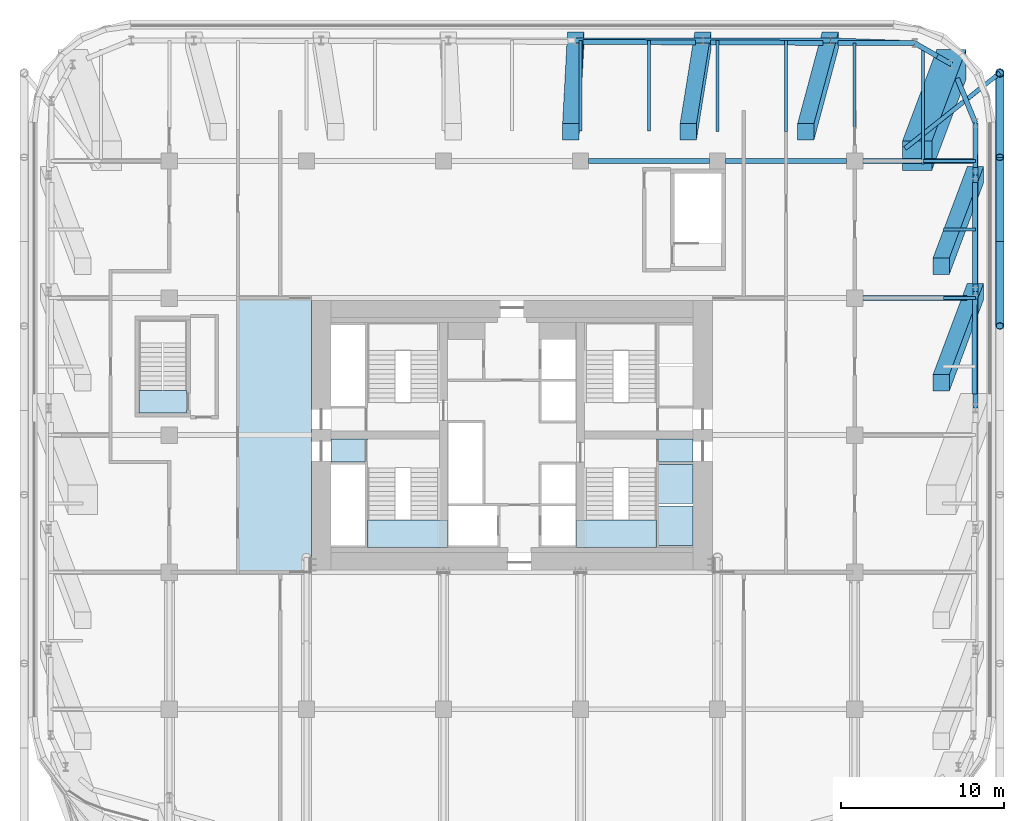
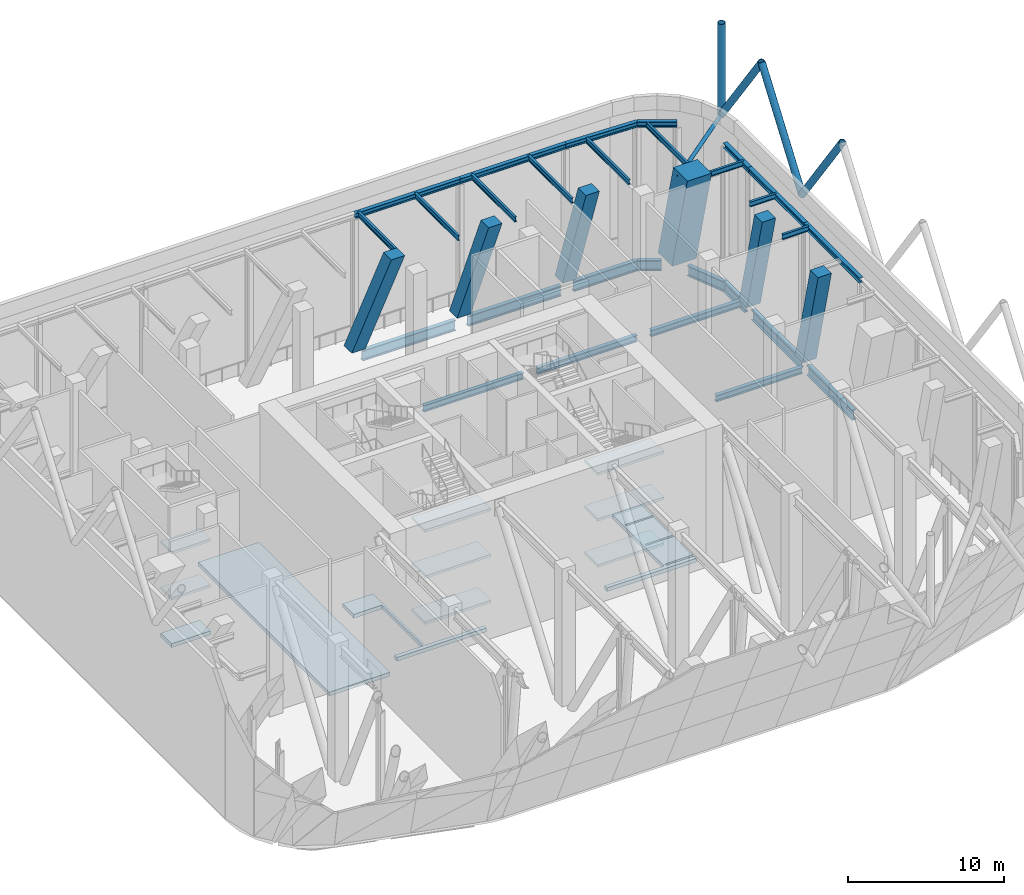
# One storey, part 7 of 19: 28 beams, 12 slabs, 11 members, 3 elements without a shape of their own.
"""IFC4 building model written with IfcOpenShell, lengths in metres."""

from ifc_helpers import new_model, si_unit, direction, frame, origin, origin_2d, place, context, subcontext, project, spatial, polyline, rectangle, hollow_circle, i_section, outline, extrude, material, layer, layer_set, material_profile, profile_set, type_object, element, aggregate, save


model = new_model("IFC4")

# Units and contexts
model_context = context("Model", 3, precision=1e-05, world=origin(), true_north=direction((0.0, 1.0)))
body_context = subcontext(model_context, "Body", "Model", "MODEL_VIEW")
ifc_project = project(units=[si_unit("LENGTHUNIT", "METRE"), si_unit("AREAUNIT", "SQUARE_METRE"), si_unit("VOLUMEUNIT", "CUBIC_METRE"), si_unit("PLANEANGLEUNIT", "RADIAN"), si_unit("MASSUNIT", "GRAM", prefix="KILO")], contexts=[model_context])

# Site, building, storey
site_placement = place(None, origin())
site = spatial("IfcSite", under=ifc_project, at=site_placement, CompositionType="ELEMENT")
building_placement = place(site_placement, origin())
building = spatial("IfcBuilding", under=site, at=building_placement, Name="Marenta Gate Hotel Tower", CompositionType="ELEMENT")
storey_placement = place(building_placement, frame((0.0, 0.0, 86.89990234375)))
storey = spatial("IfcBuildingStorey", under=building, at=storey_placement, Name="L20", CompositionType="ELEMENT", Elevation=86.89990234375)

# Members
ifc_material_1 = material(Name="Steel S355J2W", Category="steel")
ifc_material_profile_1 = material_profile(ifc_material_1, hollow_circle(Radius=0.25390625, WallThickness=0.02490234375, at=origin_2d()), Name="CHS 508x25")
ifc_profile_set_1 = profile_set([ifc_material_profile_1], Name="Steel S355J2W")
member_type_1 = type_object("IfcMemberType", Name="Diagrid corner post Z2 CHS 508x25", PredefinedType="POST", material=ifc_profile_set_1)
member_1_placement = place(storey_placement, frame((29.89990234375, 30.60009765625, 10.340087890625), z_axis=(0.0, 0.0, 1.0), x_axis=(1.0, 0.0, 0.0)))
element("IfcMember", 1, at=member_1_placement, inside=storey, type_object=member_type_1, Name="L20-DR-1", PredefinedType="POST", context=body_context, shape_type="SweptSolid", body=[
    extrude(hollow_circle(Radius=0.25390625, WallThickness=0.02490234375, at=origin_2d()), origin(), (0.0, 0.0, 1.0), 7.199951171875),
])
ifc_material_2 = material(Name="Steel S355J2W", Category="steel")
ifc_material_profile_2 = material_profile(ifc_material_2, hollow_circle(Radius=0.25390625, WallThickness=0.0400390625, at=origin_2d()), Name="CHS 508x40")
ifc_profile_set_2 = profile_set([ifc_material_profile_2], Name="Steel S355J2W")
member_type_2 = type_object("IfcMemberType", Name="Diagrid diagonal Z2 CHS 508x40", PredefinedType="BRACE", material=ifc_profile_set_2)
member_2_placement = place(storey_placement, frame((29.89990234375, 30.60009765625, 10.340087890625), z_axis=(0.0, -0.583279014058, 0.812271870595), x_axis=(1.0, 0.0, 0.0)))
element("IfcMember", 2, at=member_2_placement, inside=storey, type_object=member_type_2, Name="L20-DG-1", PredefinedType="BRACE", context=body_context, shape_type="SweptSolid", body=[
    extrude(hollow_circle(Radius=0.25390625, WallThickness=0.0400390625, at=origin_2d()), origin(), (0.0, 0.0, 1.0), 8.864013671875),
])
for number, where, z_axis, x_axis, name in (
    (3, (29.89990234375, 20.260009765625, 10.340087890625), (0.0, 0.583260841117, 0.812284919975), (-1.0, 0.0, 0.0), "L20-DG-2"),
    (4, (29.89990234375, 20.260009765625, 10.340087890625), (0.0, -0.583260841117, 0.812284919975), (1.0, 0.0, 0.0), "L20-DG-3"),
):
    element("IfcMember", number, at=place(storey_placement, frame(where, z_axis=z_axis, x_axis=x_axis)), inside=storey, type_object=member_type_2, Name=name, PredefinedType="BRACE", context=body_context, shape_type="SweptSolid", body=[
        extrude(hollow_circle(Radius=0.25390625, WallThickness=0.0400390625, at=origin_2d()), origin(), (0.0, 0.0, 1.0), 8.86376953125),
    ])

# Beams
ifc_material_3 = material(Name="Steel S355", Category="steel")
ifc_material_profile_3 = material_profile(ifc_material_3, i_section(OverallWidth=0.302978515625, OverallDepth=0.81396484375, WebThickness=0.030029296875, FlangeThickness=0.052001953125, FilletRadius=0.030029296875, at=origin_2d()), Name="HEM 800")
ifc_profile_set_3 = profile_set([ifc_material_profile_3], Name="Steel S355")
beam_type_1 = type_object("IfcBeamType", Name="Edge beam HEM 800", PredefinedType="SPANDREL", material=ifc_profile_set_3)
for number, where, z_axis, x_axis, name in (
    (5, (4.361328125, 32.4970703125, -0.706787109375), (0.999993064268, -0.003724435008, 0.0), (0.003724435008, 0.999993064268, 0.0), "L20-EB-17"),
    (6, (12.1640625, 32.468017578125, -0.706787109375), (0.999993064268, -0.003724435008, 0.0), (0.003724435008, 0.999993064268, 0.0), "L20-EB-18"),
):
    element("IfcBeam", number, at=place(storey_placement, frame(where, z_axis=z_axis, x_axis=x_axis)), inside=storey, type_object=beam_type_1, Name=name, PredefinedType="SPANDREL", context=body_context, shape_type="SweptSolid", body=[
        extrude(i_section(OverallWidth=0.302978515625, OverallDepth=0.81396484375, WebThickness=0.030029296875, FlangeThickness=0.052001953125, FilletRadius=0.030029296875, at=origin_2d()), origin(), (0.0, 0.0, 1.0), 6.8828125),
    ])
beam_1_placement = place(storey_placement, frame((19.966796875, 32.43896484375, -0.706787109375), z_axis=(0.999993080272, -0.003720135464, 0.0), x_axis=(0.003720135464, 0.999993080272, 0.0)))
element("IfcBeam", 7, at=beam_1_placement, inside=storey, type_object=beam_type_1, Name="L20-EB-19", PredefinedType="SPANDREL", context=body_context, shape_type="SweptSolid", body=[
    extrude(i_section(OverallWidth=0.302978515625, OverallDepth=0.81396484375, WebThickness=0.030029296875, FlangeThickness=0.052001953125, FilletRadius=0.030029296875, at=origin_2d()), origin(), (0.0, 0.0, 1.0), 4.72509765625),
])
beam_2_placement = place(storey_placement, frame((24.69189453125, 32.42138671875, -0.706787109375), z_axis=(0.865968422476, -0.500098681536, 0.0), x_axis=(0.500098681536, 0.865968422476, 0.0)))
element("IfcBeam", 8, at=beam_2_placement, inside=storey, type_object=beam_type_1, Name="L20-EB-20", PredefinedType="SPANDREL", context=body_context, shape_type="SweptSolid", body=[
    extrude(i_section(OverallWidth=0.302978515625, OverallDepth=0.81396484375, WebThickness=0.030029296875, FlangeThickness=0.052001953125, FilletRadius=0.030029296875, at=origin_2d()), origin(), (0.0, 0.0, 1.0), 1.591552734375),
])
beam_3_placement = place(storey_placement, frame((27.280029296875, 30.2724609375, -0.706787109375), z_axis=(0.378565359962, -0.925574561144, 0.0), x_axis=(0.925574561144, 0.378565359962, 0.0)))
element("IfcBeam", 9, at=beam_3_placement, inside=storey, type_object=beam_type_1, Name="L20-EB-21", PredefinedType="SPANDREL", context=body_context, shape_type="SweptSolid", body=[
    extrude(i_section(OverallWidth=0.302978515625, OverallDepth=0.81396484375, WebThickness=0.030029296875, FlangeThickness=0.052001953125, FilletRadius=0.030029296875, at=origin_2d()), origin(), (0.0, 0.0, 1.0), 2.958251953125),
])
beam_4_placement = place(storey_placement, frame((28.39990234375, 27.534423828125, -0.706787109375), z_axis=(-0.003323434444, -0.999994477376, 0.0), x_axis=(0.999994477376, -0.003323434444, 0.0)))
element("IfcBeam", 10, at=beam_4_placement, inside=storey, type_object=beam_type_1, Name="L20-EB-22", PredefinedType="SPANDREL", context=body_context, shape_type="SweptSolid", body=[
    extrude(i_section(OverallWidth=0.302978515625, OverallDepth=0.81396484375, WebThickness=0.030029296875, FlangeThickness=0.052001953125, FilletRadius=0.030029296875, at=origin_2d()), origin(), (0.0, 0.0, 1.0), 2.718017578125),
])
beam_5_placement = place(storey_placement, frame((28.387939453125, 23.896484375, -0.706787109375), z_axis=(-0.003329137121, -0.999994458408, 0.0), x_axis=(0.999994458408, -0.003329137121, 0.0)))
element("IfcBeam", 11, at=beam_5_placement, inside=storey, type_object=beam_type_1, Name="L20-EB-23", PredefinedType="SPANDREL", context=body_context, shape_type="SweptSolid", body=[
    extrude(i_section(OverallWidth=0.302978515625, OverallDepth=0.81396484375, WebThickness=0.030029296875, FlangeThickness=0.052001953125, FilletRadius=0.030029296875, at=origin_2d()), origin(), (0.0, 0.0, 1.0), 6.2333984375),
])
beam_6_placement = place(storey_placement, frame((28.364013671875, 16.7431640625, -0.706787109375), z_axis=(-0.003306389661, -0.999994533879, 0.0), x_axis=(0.999994533879, -0.003306389661, 0.0)))
element("IfcBeam", 12, at=beam_6_placement, inside=storey, type_object=beam_type_1, Name="L20-EB-24", PredefinedType="SPANDREL", context=body_context, shape_type="SweptSolid", body=[
    extrude(i_section(OverallWidth=0.302978515625, OverallDepth=0.81396484375, WebThickness=0.030029296875, FlangeThickness=0.052001953125, FilletRadius=0.030029296875, at=origin_2d()), origin(), (0.0, 0.0, 1.0), 5.833251953125),
])

# Members
ifc_material_4 = material(Name="Concrete C80", Category="concrete")
ifc_material_profile_4 = material_profile(ifc_material_4, rectangle(XDim=1.0, YDim=1.0, at=origin_2d()), Name="1000 x 1000")
ifc_profile_set_4 = profile_set([ifc_material_profile_4], Name="Concrete C80")
member_type_3 = type_object("IfcMemberType", Name="Edge column raked 1000 x 1000 C80", PredefinedType="STRUT", material=ifc_profile_set_4)
member_3_placement = place(storey_placement, frame((3.9013671875, 32.60009765625, 0.0), z_axis=(0.0, 0.0, 1.0), x_axis=(1.0, 0.0, 0.0)))
element("IfcMember", 13, at=member_3_placement, inside=storey, type_object=member_type_3, Name="L20-EC-NW-NE-4", PredefinedType="STRUT", context=body_context, shape_type="SweptSolid", body=[
    extrude(rectangle(XDim=1.0, YDim=1.0, at=origin_2d()), origin(), (-0.024656184723, -0.460181908204, 0.887482216113), 12.16943359375),
])
member_4_placement = place(storey_placement, frame((11.7041015625, 32.60009765625, 0.0), z_axis=(0.0, 0.0, 1.0), x_axis=(1.0, 0.0, 0.0)))
element("IfcMember", 14, at=member_4_placement, inside=storey, type_object=member_type_3, Name="L20-EC-NW-NE-5", PredefinedType="STRUT", context=body_context, shape_type="SweptSolid", body=[
    extrude(rectangle(XDim=1.0, YDim=1.0, at=origin_2d()), origin(), (-0.073769433098, -0.459067622462, 0.885333264227), 12.19873046875),
])
member_5_placement = place(storey_placement, frame((19.5068359375, 32.60009765625, 0.0), z_axis=(0.0, 0.0, 1.0), x_axis=(1.0, 0.0, 0.0)))
element("IfcMember", 15, at=member_5_placement, inside=storey, type_object=member_type_3, Name="L20-EC-NW-NE-6", PredefinedType="STRUT", context=body_context, shape_type="SweptSolid", body=[
    extrude(rectangle(XDim=1.0, YDim=1.0, at=origin_2d()), origin(), (-0.122371677564, -0.456862229812, 0.881080061914), 12.2578125),
])
member_6_placement = place(storey_placement, frame((28.39990234375, 24.3564453125, 0.0), z_axis=(0.0, 0.0, 1.0), x_axis=(1.0, 0.0, 0.0)))
element("IfcMember", 16, at=member_6_placement, inside=storey, type_object=member_type_3, Name="L20-EC-NE-E-1", PredefinedType="STRUT", context=body_context, shape_type="SweptSolid", body=[
    extrude(rectangle(XDim=1.0, YDim=1.0, at=origin_2d()), origin(), (-0.170090510133, -0.453614245022, 0.874816172162), 12.345458984375),
])
member_7_placement = place(storey_placement, frame((28.39990234375, 17.203125, 0.0), z_axis=(0.0, 0.0, 1.0), x_axis=(1.0, 0.0, 0.0)))
element("IfcMember", 17, at=member_7_placement, inside=storey, type_object=member_type_3, Name="L20-EC-NE-E-2", PredefinedType="STRUT", context=body_context, shape_type="SweptSolid", body=[
    extrude(rectangle(XDim=1.0, YDim=1.0, at=origin_2d()), origin(), (-0.170092035922, -0.453598538302, 0.874824019656), 12.345458984375),
])
ifc_material_5 = material(Name="Steel S355J2W", Category="steel")
ifc_material_profile_5 = material_profile(ifc_material_5, hollow_circle(Radius=0.136474609375, WallThickness=0.012451171875, at=origin_2d()), Name="CHS 273x12.5")
ifc_profile_set_5 = profile_set([ifc_material_profile_5], Name="Steel S355J2W")
member_type_4 = type_object("IfcMemberType", Name="Floor tie CHS 273x12.5", PredefinedType="STRUT", material=ifc_profile_set_5)
member_8_placement = place(storey_placement, frame((29.89990234375, 30.60009765625, 10.340087890625), z_axis=(-0.782242765344, -0.622973720206, 0.0), x_axis=(0.622973720206, -0.782242765344, 0.0)))
element("IfcMember", 18, at=member_8_placement, inside=storey, type_object=member_type_4, Name="L20-DR-7", PredefinedType="STRUT", context=body_context, shape_type="SweptSolid", body=[
    extrude(hollow_circle(Radius=0.136474609375, WallThickness=0.012451171875, at=origin_2d()), origin(), (0.0, 0.0, 1.0), 7.4267578125),
])

# Beams
ifc_material_6 = material(Name="Steel S355", Category="steel")
ifc_material_profile_6 = material_profile(ifc_material_6, i_section(OverallWidth=0.300048828125, OverallDepth=0.5, WebThickness=0.014404296875, FlangeThickness=0.028076171875, FilletRadius=0.027099609375, at=origin_2d()), Name="HEB 500")
ifc_profile_set_6 = profile_set([ifc_material_profile_6], Name="Steel S355")
beam_type_2 = type_object("IfcBeamType", Name="Girder HEB 500", PredefinedType="BEAM", material=ifc_profile_set_6)
beam_7_placement = place(storey_placement, frame((21.5, 16.800048828125, -0.5498046875), z_axis=(1.0, 0.0, 0.0), x_axis=(0.0, 1.0, 0.0)))
element("IfcBeam", 19, at=beam_7_placement, inside=storey, type_object=beam_type_2, Name="L20-GD-23", PredefinedType="BEAM", context=body_context, shape_type="SweptSolid", body=[
    extrude(i_section(OverallWidth=0.300048828125, OverallDepth=0.5, WebThickness=0.014404296875, FlangeThickness=0.028076171875, FilletRadius=0.027099609375, at=origin_2d()), origin(), (0.0, 0.0, 1.0), 6.39990234375),
])
beam_8_placement = place(storey_placement, frame((4.699951171875, 25.199951171875, -0.5498046875), z_axis=(1.0, 0.0, 0.0), x_axis=(0.0, 1.0, 0.0)))
element("IfcBeam", 20, at=beam_8_placement, inside=storey, type_object=beam_type_2, Name="L20-GD-28", PredefinedType="BEAM", context=body_context, shape_type="SweptSolid", body=[
    extrude(i_section(OverallWidth=0.300048828125, OverallDepth=0.5, WebThickness=0.014404296875, FlangeThickness=0.028076171875, FilletRadius=0.027099609375, at=origin_2d()), origin(), (0.0, 0.0, 1.0), 7.400146484375),
])
beam_9_placement = place(storey_placement, frame((13.10009765625, 25.199951171875, -0.5498046875), z_axis=(1.0, 0.0, 0.0), x_axis=(0.0, 1.0, 0.0)))
element("IfcBeam", 21, at=beam_9_placement, inside=storey, type_object=beam_type_2, Name="L20-GD-29", PredefinedType="BEAM", context=body_context, shape_type="SweptSolid", body=[
    extrude(i_section(OverallWidth=0.300048828125, OverallDepth=0.5, WebThickness=0.014404296875, FlangeThickness=0.028076171875, FilletRadius=0.027099609375, at=origin_2d()), origin(), (0.0, 0.0, 1.0), 7.39990234375),
])
beam_10_placement = place(storey_placement, frame((21.5, 25.199951171875, -0.5498046875), z_axis=(1.0, 0.0, 0.0), x_axis=(0.0, 1.0, 0.0)))
element("IfcBeam", 22, at=beam_10_placement, inside=storey, type_object=beam_type_2, Name="L20-GD-30", PredefinedType="BEAM", context=body_context, shape_type="SweptSolid", body=[
    extrude(i_section(OverallWidth=0.300048828125, OverallDepth=0.5, WebThickness=0.014404296875, FlangeThickness=0.028076171875, FilletRadius=0.027099609375, at=origin_2d()), origin(), (0.0, 0.0, 1.0), 6.74072265625),
])

# Member
ifc_material_7 = material(Name="Concrete C80", Category="concrete")
ifc_material_profile_7 = material_profile(ifc_material_7, rectangle(XDim=1.800048828125, YDim=1.800048828125, at=origin_2d()), Name="1800 x 1800")
ifc_profile_set_7 = profile_set([ifc_material_profile_7], Name="Concrete C80")
member_type_5 = type_object("IfcMemberType", Name="Mega column raked 1800 x 1800 C80", PredefinedType="STRUT", material=ifc_profile_set_7)
member_9_placement = place(storey_placement, frame((26.935546875, 31.135498046875, 0.0), z_axis=(0.0, 0.0, 1.0), x_axis=(1.0, 0.0, 0.0)))
element("IfcMember", 23, at=member_9_placement, inside=storey, type_object=member_type_5, Name="L20-MC-NE", PredefinedType="STRUT", context=body_context, shape_type="SweptSolid", body=[
    extrude(rectangle(XDim=1.800048828125, YDim=1.800048828125, at=origin_2d()), origin(), (-0.170109713578, -0.45361271914, 0.874813229427), 12.345458984375),
])

# Beams
ifc_material_8 = material(Name="Steel S355", Category="steel")
ifc_material_profile_8 = material_profile(ifc_material_8, i_section(OverallWidth=0.179931640625, OverallDepth=0.39990234375, WebThickness=0.008544921875, FlangeThickness=0.013427734375, FilletRadius=0.02099609375, at=origin_2d()), Name="IPE 400")
ifc_profile_set_8 = profile_set([ifc_material_profile_8], Name="Steel S355")
beam_type_3 = type_object("IfcBeamType", Name="Terrace beam IPE 400", PredefinedType="JOIST", material=ifc_profile_set_8)
beam_11_placement = place(storey_placement, frame((4.199951171875, 27.04736328125, 10.340087890625), z_axis=(0.0, 1.0, 0.0), x_axis=(-1.0, 0.0, 0.0)))
element("IfcBeam", 24, at=beam_11_placement, inside=storey, type_object=beam_type_3, Name="L20-TB-8", PredefinedType="JOIST", context=body_context, shape_type="SweptSolid", body=[
    extrude(i_section(OverallWidth=0.179931640625, OverallDepth=0.39990234375, WebThickness=0.008544921875, FlangeThickness=0.013427734375, FilletRadius=0.02099609375, at=origin_2d()), origin(), (0.0, 0.0, 1.0), 5.552734375),
])
beam_12_placement = place(storey_placement, frame((8.39990234375, 27.0302734375, 10.340087890625), z_axis=(0.0, 1.0, 0.0), x_axis=(-1.0, 0.0, 0.0)))
element("IfcBeam", 25, at=beam_12_placement, inside=storey, type_object=beam_type_3, Name="L20-TB-9", PredefinedType="JOIST", context=body_context, shape_type="SweptSolid", body=[
    extrude(i_section(OverallWidth=0.179931640625, OverallDepth=0.39990234375, WebThickness=0.008544921875, FlangeThickness=0.013427734375, FilletRadius=0.02099609375, at=origin_2d()), origin(), (0.0, 0.0, 1.0), 5.56982421875),
])
beam_13_placement = place(storey_placement, frame((12.60009765625, 27.01318359375, 10.340087890625), z_axis=(0.0, 1.0, 0.0), x_axis=(-1.0, 0.0, 0.0)))
element("IfcBeam", 26, at=beam_13_placement, inside=storey, type_object=beam_type_3, Name="L20-TB-10", PredefinedType="JOIST", context=body_context, shape_type="SweptSolid", body=[
    extrude(i_section(OverallWidth=0.179931640625, OverallDepth=0.39990234375, WebThickness=0.008544921875, FlangeThickness=0.013427734375, FilletRadius=0.02099609375, at=origin_2d()), origin(), (0.0, 0.0, 1.0), 5.5869140625),
])
beam_14_placement = place(storey_placement, frame((16.800048828125, 26.995849609375, 10.340087890625), z_axis=(0.0, 1.0, 0.0), x_axis=(-1.0, 0.0, 0.0)))
element("IfcBeam", 27, at=beam_14_placement, inside=storey, type_object=beam_type_3, Name="L20-TB-11", PredefinedType="JOIST", context=body_context, shape_type="SweptSolid", body=[
    extrude(i_section(OverallWidth=0.179931640625, OverallDepth=0.39990234375, WebThickness=0.008544921875, FlangeThickness=0.013427734375, FilletRadius=0.02099609375, at=origin_2d()), origin(), (0.0, 0.0, 1.0), 5.604248046875),
])
beam_15_placement = place(storey_placement, frame((21.0, 26.978759765625, 10.340087890625), z_axis=(0.0, 1.0, 0.0), x_axis=(-1.0, 0.0, 0.0)))
element("IfcBeam", 28, at=beam_15_placement, inside=storey, type_object=beam_type_3, Name="L20-TB-12", PredefinedType="JOIST", context=body_context, shape_type="SweptSolid", body=[
    extrude(i_section(OverallWidth=0.179931640625, OverallDepth=0.39990234375, WebThickness=0.008544921875, FlangeThickness=0.013427734375, FilletRadius=0.02099609375, at=origin_2d()), origin(), (0.0, 0.0, 1.0), 5.47021484375),
])
beam_16_placement = place(storey_placement, frame((25.199951171875, 25.022216796875, 10.340087890625), z_axis=(0.0, 1.0, 0.0), x_axis=(-1.0, 0.0, 0.0)))
element("IfcBeam", 29, at=beam_16_placement, inside=storey, type_object=beam_type_3, Name="L20-TB-13", PredefinedType="JOIST", context=body_context, shape_type="SweptSolid", body=[
    extrude(i_section(OverallWidth=0.179931640625, OverallDepth=0.39990234375, WebThickness=0.008544921875, FlangeThickness=0.013427734375, FilletRadius=0.02099609375, at=origin_2d()), origin(), (0.0, 0.0, 1.0), 7.025146484375),
])
beam_17_placement = place(storey_placement, frame((26.433837890625, 16.800048828125, 10.340087890625), z_axis=(1.0, 0.0, 0.0), x_axis=(0.0, 1.0, 0.0)))
element("IfcBeam", 30, at=beam_17_placement, inside=storey, type_object=beam_type_3, Name="L20-TB-20", PredefinedType="JOIST", context=body_context, shape_type="SweptSolid", body=[
    extrude(i_section(OverallWidth=0.179931640625, OverallDepth=0.39990234375, WebThickness=0.008544921875, FlangeThickness=0.013427734375, FilletRadius=0.02099609375, at=origin_2d()), origin(), (0.0, 0.0, 1.0), 1.966064453125),
])
beam_18_placement = place(storey_placement, frame((26.447998046875, 21.0, 10.340087890625), z_axis=(1.0, 0.0, 0.0), x_axis=(0.0, 1.0, 0.0)))
element("IfcBeam", 31, at=beam_18_placement, inside=storey, type_object=beam_type_3, Name="L20-TB-21", PredefinedType="JOIST", context=body_context, shape_type="SweptSolid", body=[
    extrude(i_section(OverallWidth=0.179931640625, OverallDepth=0.39990234375, WebThickness=0.008544921875, FlangeThickness=0.013427734375, FilletRadius=0.02099609375, at=origin_2d()), origin(), (0.0, 0.0, 1.0), 1.951904296875),
])
beam_19_placement = place(storey_placement, frame((25.199951171875, 25.199951171875, 10.340087890625), z_axis=(1.0, 0.0, 0.0), x_axis=(0.0, 1.0, 0.0)))
element("IfcBeam", 32, at=beam_19_placement, inside=storey, type_object=beam_type_3, Name="L20-TB-22", PredefinedType="JOIST", context=body_context, shape_type="SweptSolid", body=[
    extrude(i_section(OverallWidth=0.179931640625, OverallDepth=0.39990234375, WebThickness=0.008544921875, FlangeThickness=0.013427734375, FilletRadius=0.02099609375, at=origin_2d()), origin(), (0.0, 0.0, 1.0), 3.199951171875),
])
ifc_material_9 = material(Name="Steel S355", Category="steel")
ifc_material_profile_9 = material_profile(ifc_material_9, i_section(OverallWidth=0.300048828125, OverallDepth=0.39990234375, WebThickness=0.013427734375, FlangeThickness=0.02392578125, FilletRadius=0.027099609375, at=origin_2d()), Name="HEB 400")
ifc_profile_set_9 = profile_set([ifc_material_profile_9], Name="Steel S355")
beam_type_4 = type_object("IfcBeamType", Name="Terrace edge beam HEB 400", PredefinedType="SPANDREL", material=ifc_profile_set_9)
for number, where, z_axis, x_axis, name in (
    (33, (3.9013671875, 32.60009765625, 10.340087890625), (1.0, 0.0, 0.0), (0.0, 1.0, 0.0), "L20-TE-13"),
    (34, (11.7041015625, 32.60009765625, 10.340087890625), (1.0, 0.0, 0.0), (0.0, 1.0, 0.0), "L20-TE-14"),
):
    element("IfcBeam", number, at=place(storey_placement, frame(where, z_axis=z_axis, x_axis=x_axis)), inside=storey, type_object=beam_type_4, Name=name, PredefinedType="SPANDREL", context=body_context, shape_type="SweptSolid", body=[
        extrude(i_section(OverallWidth=0.300048828125, OverallDepth=0.39990234375, WebThickness=0.013427734375, FlangeThickness=0.02392578125, FilletRadius=0.027099609375, at=origin_2d()), origin(), (0.0, 0.0, 1.0), 7.802734375),
    ])
beam_20_placement = place(storey_placement, frame((19.5068359375, 32.60009765625, 10.340087890625), z_axis=(0.999406558099, -0.034446068393, 0.0), x_axis=(0.034446068393, 0.999406558099, 0.0)))
element("IfcBeam", 35, at=beam_20_placement, inside=storey, type_object=beam_type_4, Name="L20-TE-15", PredefinedType="SPANDREL", context=body_context, shape_type="SweptSolid", body=[
    extrude(i_section(OverallWidth=0.300048828125, OverallDepth=0.39990234375, WebThickness=0.013427734375, FlangeThickness=0.02392578125, FilletRadius=0.027099609375, at=origin_2d()), origin(), (0.0, 0.0, 1.0), 5.188232421875),
])
beam_21_placement = place(storey_placement, frame((24.69189453125, 32.42138671875, 10.340087890625), z_axis=(0.866001476168, -0.500041441558, 0.0), x_axis=(0.500041441558, 0.866001476168, 0.0)))
element("IfcBeam", 36, at=beam_21_placement, inside=storey, type_object=beam_type_4, Name="L20-TE-16", PredefinedType="SPANDREL", context=body_context, shape_type="SweptSolid", body=[
    extrude(i_section(OverallWidth=0.300048828125, OverallDepth=0.39990234375, WebThickness=0.013427734375, FlangeThickness=0.02392578125, FilletRadius=0.027099609375, at=origin_2d()), origin(), (0.0, 0.0, 1.0), 2.583740234375),
])
beam_22_placement = place(storey_placement, frame((28.39990234375, 27.534423828125, 10.340087890625), z_axis=(0.0, -1.0, 0.0), x_axis=(1.0, 0.0, 0.0)))
element("IfcBeam", 37, at=beam_22_placement, inside=storey, type_object=beam_type_4, Name="L20-TE-17", PredefinedType="SPANDREL", context=body_context, shape_type="SweptSolid", body=[
    extrude(i_section(OverallWidth=0.300048828125, OverallDepth=0.39990234375, WebThickness=0.013427734375, FlangeThickness=0.02392578125, FilletRadius=0.027099609375, at=origin_2d()), origin(), (0.0, 0.0, 1.0), 3.177978515625),
])
beam_23_placement = place(storey_placement, frame((28.39990234375, 24.3564453125, 10.340087890625), z_axis=(0.0, -1.0, 0.0), x_axis=(1.0, 0.0, 0.0)))
element("IfcBeam", 38, at=beam_23_placement, inside=storey, type_object=beam_type_4, Name="L20-TE-18", PredefinedType="SPANDREL", context=body_context, shape_type="SweptSolid", body=[
    extrude(i_section(OverallWidth=0.300048828125, OverallDepth=0.39990234375, WebThickness=0.013427734375, FlangeThickness=0.02392578125, FilletRadius=0.027099609375, at=origin_2d()), origin(), (0.0, 0.0, 1.0), 7.1533203125),
])
beam_24_placement = place(storey_placement, frame((28.39990234375, 17.203125, 10.340087890625), z_axis=(0.0, -1.0, 0.0), x_axis=(1.0, 0.0, 0.0)))
element("IfcBeam", 39, at=beam_24_placement, inside=storey, type_object=beam_type_4, Name="L20-TE-19", PredefinedType="SPANDREL", context=body_context, shape_type="SweptSolid", body=[
    extrude(i_section(OverallWidth=0.300048828125, OverallDepth=0.39990234375, WebThickness=0.013427734375, FlangeThickness=0.02392578125, FilletRadius=0.027099609375, at=origin_2d()), origin(), (0.0, 0.0, 1.0), 7.153076171875),
])

# Slabs
ifc_material_10 = material(Name="Concrete C40", Category="concrete")
ifc_layer_1 = layer(ifc_material_10, 0.300048828125)
ifc_layer_set_1 = layer_set([ifc_layer_1], Name="Concrete C40")
slab_type_1 = type_object("IfcSlabType", Name="Core floor slab 300", PredefinedType="FLOOR", material=ifc_layer_set_1)
slab_1_placement = place(storey_placement, frame((0.0, 0.0, -0.2998046875)))
element("IfcSlab", 40, at=slab_1_placement, inside=storey, type_object=slab_type_1, Name="L20-CF-2", PredefinedType="FLOOR", context=body_context, shape_type="SweptSolid", body=[
    extrude(outline(polyline([(8.85009765625, 1.5), (8.85009765625, 6.39990234375), (8.85009765625, 8.10009765625), (8.85009765625, 8.14990234375), (11.10009765625, 8.14990234375), (11.10009765625, 6.75), (9.0, 6.75), (9.0, 6.60009765625), (11.10009765625, 6.60009765625), (11.10009765625, 4.199951171875), (9.0, 4.199951171875), (9.0, 4.050048828125), (11.10009765625, 4.050048828125), (11.10009765625, 1.64990234375), (9.0, 1.64990234375), (9.0, 1.5), (11.10009765625, 1.5), (11.10009765625, 1.199951171875), (4.449951171875, 1.199951171875), (4.449951171875, 1.5), (8.85009765625, 1.5)])), origin(), (0.0, 0.0, 1.0), 0.2998046875),
])
slab_2_placement = place(storey_placement, frame((0.0, 0.0, -0.2998046875)))
element("IfcSlab", 41, at=slab_2_placement, inside=storey, type_object=slab_type_1, Name="L20-CF-5", PredefinedType="FLOOR", context=body_context, shape_type="SweptSolid", body=[
    extrude(outline(polyline([(-9.0, 1.5), (-9.0, 1.64990234375), (-9.0, 4.050048828125), (-9.0, 4.199951171875), (-9.0, 6.60009765625), (-9.0, 6.75), (-11.10009765625, 6.75), (-11.10009765625, 8.14990234375), (-8.85009765625, 8.14990234375), (-8.85009765625, 8.10009765625), (-8.85009765625, 6.39990234375), (-8.85009765625, 1.5), (-4.449951171875, 1.5), (-4.449951171875, 1.199951171875), (-11.10009765625, 1.199951171875), (-11.10009765625, 1.5), (-9.0, 1.5)])), origin(), (0.0, 0.0, 1.0), 0.2998046875),
])
slab_3_placement = place(storey_placement, frame((0.0, 0.0, -0.2998046875)))
element("IfcSlab", 42, at=slab_3_placement, inside=storey, type_object=slab_type_1, Name="L20-CF-7", PredefinedType="FLOOR", context=body_context, shape_type="SweptSolid", body=[
    extrude(outline(polyline([(-12.300048828125, 16.800048828125), (-12.300048828125, 0.0), (-16.800048828125, 0.0), (-16.800048828125, 16.800048828125), (-12.300048828125, 16.800048828125)])), origin(), (0.0, 0.0, 1.0), 0.2998046875),
])

# Stair, slabs
ifc_material_11 = material(Name="Concrete C40", Category="concrete")
stair_type_1 = type_object("IfcStairType", Name="Core exit stair 1700 wide", PredefinedType="HALF_TURN_STAIR", material=ifc_material_11)
stair_1_placement = place(storey_placement, origin())
stair_1 = element("IfcStair", 43, at=stair_1_placement, inside=storey, type_object=stair_type_1, Name="Exit stair 1", PredefinedType="HALF_TURN_STAIR")
ifc_material_12 = material(Name="Concrete C40", Category="concrete")
ifc_layer_2 = layer(ifc_material_12, 0.199951171875)
ifc_layer_set_2 = layer_set([ifc_layer_2], Name="Concrete C40")
slab_type_2 = type_object("IfcSlabType", Name="Core stair landing 200", PredefinedType="LANDING", material=ifc_layer_set_2)
slab_4_placement = place(storey_placement, frame((0.0, 0.0, 1.60009765625)))
slab_4 = element("IfcSlab", 44, at=slab_4_placement, type_object=slab_type_2, Name="SL-200 ST1 landing 1", PredefinedType="LANDING", context=body_context, shape_type="SweptSolid", body=[
    extrude(outline(polyline([(-8.85009765625, 1.5), (-3.949951171875, 1.5), (-3.949951171875, 3.2099609375), (-8.85009765625, 3.2099609375), (-8.85009765625, 1.5)])), origin(), (0.0, 0.0, 1.0), 0.199951171875),
])
slab_5_placement = place(storey_placement, frame((0.0, 0.0, 5.2001953125)))
slab_5 = element("IfcSlab", 45, at=slab_5_placement, type_object=slab_type_2, Name="SL-200 ST1 landing 3", PredefinedType="LANDING", context=body_context, shape_type="SweptSolid", body=[
    extrude(outline(polyline([(-8.85009765625, 1.5), (-3.949951171875, 1.5), (-3.949951171875, 3.2099609375), (-8.85009765625, 3.2099609375), (-8.85009765625, 1.5)])), origin(), (0.0, 0.0, 1.0), 0.199951171875),
])
slab_6_placement = place(storey_placement, frame((0.0, 0.0, 8.800048828125)))
slab_6 = element("IfcSlab", 46, at=slab_6_placement, type_object=slab_type_2, Name="SL-200 ST1 landing 5", PredefinedType="LANDING", context=body_context, shape_type="SweptSolid", body=[
    extrude(outline(polyline([(-8.85009765625, 1.5), (-3.949951171875, 1.5), (-3.949951171875, 3.2099609375), (-8.85009765625, 3.2099609375), (-8.85009765625, 1.5)])), origin(), (0.0, 0.0, 1.0), 0.199951171875),
])
aggregate(stair_1, [slab_4, slab_5, slab_6])

stair_2_placement = place(storey_placement, origin())
stair_2 = element("IfcStair", 47, at=stair_2_placement, inside=storey, type_object=stair_type_1, Name="Exit stair 3", PredefinedType="HALF_TURN_STAIR")
slab_7_placement = place(storey_placement, frame((0.0, 0.0, 1.60009765625)))
slab_7 = element("IfcSlab", 48, at=slab_7_placement, type_object=slab_type_2, Name="SL-200 ST3 landing 1", PredefinedType="LANDING", context=body_context, shape_type="SweptSolid", body=[
    extrude(outline(polyline([(3.949951171875, 1.5), (8.85009765625, 1.5), (8.85009765625, 3.2099609375), (3.949951171875, 3.2099609375), (3.949951171875, 1.5)])), origin(), (0.0, 0.0, 1.0), 0.199951171875),
])
slab_8_placement = place(storey_placement, frame((0.0, 0.0, 5.2001953125)))
slab_8 = element("IfcSlab", 49, at=slab_8_placement, type_object=slab_type_2, Name="SL-200 ST3 landing 3", PredefinedType="LANDING", context=body_context, shape_type="SweptSolid", body=[
    extrude(outline(polyline([(3.949951171875, 1.5), (8.85009765625, 1.5), (8.85009765625, 3.2099609375), (3.949951171875, 3.2099609375), (3.949951171875, 1.5)])), origin(), (0.0, 0.0, 1.0), 0.199951171875),
])
slab_9_placement = place(storey_placement, frame((0.0, 0.0, 8.800048828125)))
slab_9 = element("IfcSlab", 50, at=slab_9_placement, type_object=slab_type_2, Name="SL-200 ST3 landing 5", PredefinedType="LANDING", context=body_context, shape_type="SweptSolid", body=[
    extrude(outline(polyline([(3.949951171875, 1.5), (8.85009765625, 1.5), (8.85009765625, 3.2099609375), (3.949951171875, 3.2099609375), (3.949951171875, 1.5)])), origin(), (0.0, 0.0, 1.0), 0.199951171875),
])
aggregate(stair_2, [slab_7, slab_8, slab_9])

ifc_material_13 = material(Name="Concrete C40", Category="concrete")
stair_type_2 = type_object("IfcStairType", Name="Remote exit stair 1400 wide", PredefinedType="HALF_TURN_STAIR", material=ifc_material_13)
stair_3_placement = place(storey_placement, origin())
stair_3 = element("IfcStair", 51, at=stair_3_placement, inside=storey, type_object=stair_type_2, Name="Exit stair RS-Z1-3", PredefinedType="HALF_TURN_STAIR")
ifc_material_14 = material(Name="Concrete C40", Category="concrete")
ifc_layer_3 = layer(ifc_material_14, 0.199951171875)
ifc_layer_set_3 = layer_set([ifc_layer_3], Name="Concrete C40")
slab_type_3 = type_object("IfcSlabType", Name="Remote stair landing 200", PredefinedType="LANDING", material=ifc_layer_set_3)
slab_10_placement = place(storey_placement, frame((0.0, 0.0, 3.400146484375)))
slab_10 = element("IfcSlab", 52, at=slab_10_placement, type_object=slab_type_3, Name="RL-200 RS-Z1-3 landing 2", PredefinedType="LANDING", context=body_context, shape_type="SweptSolid", body=[
    extrude(outline(polyline([(-22.85009765625, 9.75), (-19.949951171875, 9.75), (-19.949951171875, 11.14990234375), (-22.85009765625, 11.14990234375), (-22.85009765625, 9.75)])), origin(), (0.0, 0.0, 1.0), 0.199951171875),
])
slab_11_placement = place(storey_placement, frame((0.0, 0.0, 7.0)))
slab_11 = element("IfcSlab", 53, at=slab_11_placement, type_object=slab_type_3, Name="RL-200 RS-Z1-3 landing 4", PredefinedType="LANDING", context=body_context, shape_type="SweptSolid", body=[
    extrude(outline(polyline([(-22.85009765625, 9.75), (-19.949951171875, 9.75), (-19.949951171875, 11.14990234375), (-22.85009765625, 11.14990234375), (-22.85009765625, 9.75)])), origin(), (0.0, 0.0, 1.0), 0.2001953125),
])
aggregate(stair_3, [slab_10, slab_11])

# Slab
ifc_material_15 = material(Name="Concrete C40", Category="concrete")
ifc_layer_4 = layer(ifc_material_15, 0.300048828125)
ifc_layer_set_4 = layer_set([ifc_layer_4], Name="Concrete C40")
slab_type_4 = type_object("IfcSlabType", Name="Stair floor landing slab 300", PredefinedType="FLOOR", material=ifc_layer_set_4)
slab_12_placement = place(storey_placement, frame((0.0, 0.0, -0.2998046875)))
element("IfcSlab", 54, at=slab_12_placement, inside=storey, type_object=slab_type_4, Name="L20-RS-Z1-3-CL", PredefinedType="FLOOR", context=body_context, shape_type="SweptSolid", body=[
    extrude(outline(polyline([(-19.949951171875, 9.75), (-19.949951171875, 11.14990234375), (-22.85009765625, 11.14990234375), (-22.85009765625, 9.75), (-19.949951171875, 9.75)])), origin(), (0.0, 0.0, 1.0), 0.2998046875),
])

save(model, "model.ifc")
